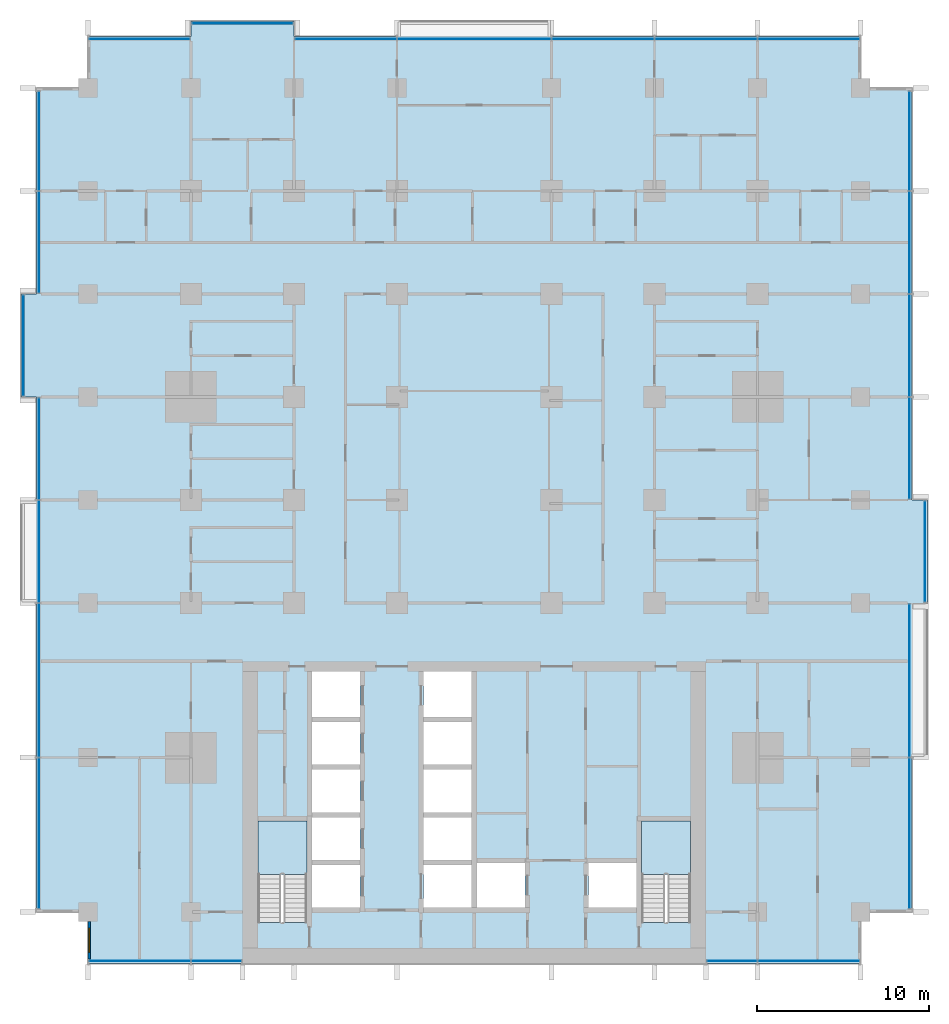
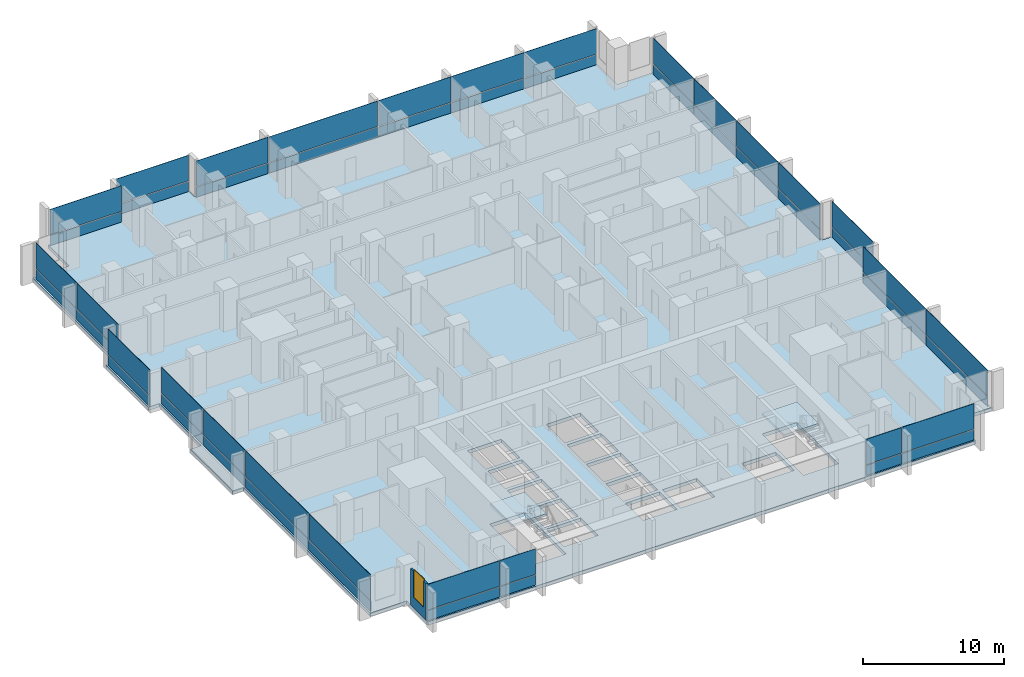
# One storey, part 6 of 18: 50 plates, 3 slabs, 1 wall, 1 window, 1 opening, 13 elements without a shape of their own.
"""IFC4 building model written with IfcOpenShell, lengths in metres."""

from ifc_helpers import new_model, si_unit, direction, frame, frame_2d, origin, origin_2d, place, context, subcontext, project, spatial, polyline, rectangle, outline, extrude, material, layer, layer_set, type_object, element, fill, aggregate, save


model = new_model("IFC4")

# Units and contexts
model_context = context("Model", 3, precision=1e-05, world=origin(), true_north=direction((0.0, 1.0)))
body_context = subcontext(model_context, "Body", "Model", "MODEL_VIEW")
ifc_project = project(units=[si_unit("LENGTHUNIT", "METRE"), si_unit("AREAUNIT", "SQUARE_METRE"), si_unit("VOLUMEUNIT", "CUBIC_METRE"), si_unit("PLANEANGLEUNIT", "RADIAN"), si_unit("MASSUNIT", "GRAM", prefix="KILO")], contexts=[model_context])

# Site, building, storey
site_placement = place(None, origin())
site = spatial("IfcSite", under=ifc_project, at=site_placement, CompositionType="ELEMENT")
building_placement = place(site_placement, origin())
building = spatial("IfcBuilding", under=site, at=building_placement, Name="Finial Court Residences", CompositionType="ELEMENT")
storey_placement = place(building_placement, frame((0.0, 0.0, 72.10009765625)))
storey = spatial("IfcBuildingStorey", under=building, at=storey_placement, Name="L17", CompositionType="ELEMENT", Elevation=72.10009765625)

# Curtain wall, plate
ifc_material_1 = material(Name="Bronze anodised aluminium", Category="aluminium")
curtain_wall_type = type_object("IfcCurtainWallType", Name="Unitised curtain wall, lower and middle zones", PredefinedType="NOTDEFINED", material=ifc_material_1)
curtain_wall_1_placement = place(storey_placement, origin())
curtain_wall_1 = element("IfcCurtainWall", 1, at=curtain_wall_1_placement, inside=storey, type_object=curtain_wall_type, Name="E-L17-CW-N1", PredefinedType="NOTDEFINED")
ifc_layer_1 = layer(ifc_material_1, 0.0400390625)
ifc_layer_set_1 = layer_set([ifc_layer_1], Name="CW1 spandrel panel 40")
plate_type_1 = type_object("IfcPlateType", Name="CW1 spandrel panel 40", PredefinedType="CURTAIN_PANEL", material=ifc_layer_set_1)
plate_1_placement = place(storey_placement, frame((-19.5, 28.35009765625, 0.0), z_axis=(0.0, 0.0, 1.0), x_axis=(1.0, 0.0, 0.0)))
plate_1 = element("IfcPlate", 2, at=plate_1_placement, type_object=plate_type_1, Name="CW1 spandrel 1.1", PredefinedType="CURTAIN_PANEL", context=body_context, shape_type="SweptSolid", body=[
    extrude(rectangle(XDim=5.8701171875, YDim=0.0400390625, at=origin_2d()), origin(), (0.0, 0.0, 1.0), 0.867431640625),
])

curtain_wall_2_placement = place(storey_placement, origin())
curtain_wall_2 = element("IfcCurtainWall", 3, at=curtain_wall_2_placement, inside=storey, type_object=curtain_wall_type, Name="E-L17-CW-N2", PredefinedType="NOTDEFINED")
plate_2_placement = place(storey_placement, frame((-13.5, 29.25, 0.0), z_axis=(0.0, 0.0, 1.0), x_axis=(1.0, 0.0, 0.0)))
plate_2 = element("IfcPlate", 4, at=plate_2_placement, type_object=plate_type_1, Name="CW1 spandrel 1.1", PredefinedType="CURTAIN_PANEL", context=body_context, shape_type="SweptSolid", body=[
    extrude(rectangle(XDim=5.8701171875, YDim=0.0400390625, at=origin_2d()), origin(), (0.0, 0.0, 1.0), 0.867431640625),
])

# Curtain wall, plates
curtain_wall_3_placement = place(storey_placement, origin())
curtain_wall_3 = element("IfcCurtainWall", 5, at=curtain_wall_3_placement, inside=storey, type_object=curtain_wall_type, Name="E-L17-CW-N3", PredefinedType="NOTDEFINED")
plate_3_placement = place(storey_placement, frame((-7.483642578125, 28.35009765625, 0.0), z_axis=(0.0, 0.0, 1.0), x_axis=(1.0, 0.0, 0.0)))
plate_3 = element("IfcPlate", 6, at=plate_3_placement, type_object=plate_type_1, Name="CW1 spandrel 1.1", PredefinedType="CURTAIN_PANEL", context=body_context, shape_type="SweptSolid", body=[
    extrude(rectangle(XDim=5.902587890625, YDim=0.0400390625, at=origin_2d()), origin(), (0.0, 0.0, 1.0), 0.867431640625),
])
plate_4_placement = place(storey_placement, frame((0.0, 28.35009765625, 0.0), z_axis=(0.0, 0.0, 1.0), x_axis=(1.0, 0.0, 0.0)))
plate_4 = element("IfcPlate", 7, at=plate_4_placement, type_object=plate_type_1, Name="CW1 spandrel 2.1", PredefinedType="CURTAIN_PANEL", context=body_context, shape_type="SweptSolid", body=[
    extrude(rectangle(XDim=8.93505859375, YDim=0.0400390625, at=origin_2d()), origin(), (0.0, 0.0, 1.0), 0.867431640625),
])
plate_5_placement = place(storey_placement, frame((7.5, 28.35009765625, 0.0), z_axis=(0.0, 0.0, 1.0), x_axis=(1.0, 0.0, 0.0)))
plate_5 = element("IfcPlate", 8, at=plate_5_placement, type_object=plate_type_1, Name="CW1 spandrel 3.1", PredefinedType="CURTAIN_PANEL", context=body_context, shape_type="SweptSolid", body=[
    extrude(rectangle(XDim=5.93505859375, YDim=0.0400390625, at=origin_2d()), origin(), (0.0, 0.0, 1.0), 0.867431640625),
])
plate_6_placement = place(storey_placement, frame((13.5, 28.35009765625, 0.0), z_axis=(0.0, 0.0, 1.0), x_axis=(1.0, 0.0, 0.0)))
plate_6 = element("IfcPlate", 9, at=plate_6_placement, type_object=plate_type_1, Name="CW1 spandrel 4.1", PredefinedType="CURTAIN_PANEL", context=body_context, shape_type="SweptSolid", body=[
    extrude(rectangle(XDim=5.93505859375, YDim=0.0400390625, at=origin_2d()), origin(), (0.0, 0.0, 1.0), 0.867431640625),
])
plate_7_placement = place(storey_placement, frame((19.48388671875, 28.35009765625, 0.0), z_axis=(0.0, 0.0, 1.0), x_axis=(1.0, 0.0, 0.0)))
plate_7 = element("IfcPlate", 10, at=plate_7_placement, type_object=plate_type_1, Name="CW1 spandrel 5.1", PredefinedType="CURTAIN_PANEL", context=body_context, shape_type="SweptSolid", body=[
    extrude(rectangle(XDim=5.902587890625, YDim=0.0400390625, at=origin_2d()), origin(), (0.0, 0.0, 1.0), 0.867431640625),
])

curtain_wall_4_placement = place(storey_placement, origin())
curtain_wall_4 = element("IfcCurtainWall", 11, at=curtain_wall_4_placement, inside=storey, type_object=curtain_wall_type, Name="E-L17-CW-E4", PredefinedType="NOTDEFINED")
plate_8_placement = place(storey_placement, frame((25.35009765625, -17.90869140625, 0.0), z_axis=(0.0, 0.0, 1.0), x_axis=(0.0, 1.0, 0.0)))
plate_8 = element("IfcPlate", 12, at=plate_8_placement, type_object=plate_type_1, Name="CW1 spandrel 1.1", PredefinedType="CURTAIN_PANEL", context=body_context, shape_type="SweptSolid", body=[
    extrude(rectangle(XDim=8.75244140625, YDim=0.0400390625, at=origin_2d()), origin(), (0.0, 0.0, 1.0), 0.867431640625),
])
plate_9_placement = place(storey_placement, frame((25.35009765625, -9.01611328125, 0.0), z_axis=(0.0, 0.0, 1.0), x_axis=(0.0, 1.0, 0.0)))
plate_9 = element("IfcPlate", 13, at=plate_9_placement, type_object=plate_type_1, Name="CW1 spandrel 2.1", PredefinedType="CURTAIN_PANEL", context=body_context, shape_type="SweptSolid", body=[
    extrude(rectangle(XDim=8.902587890625, YDim=0.0400390625, at=origin_2d()), origin(), (0.0, 0.0, 1.0), 0.867431640625),
])

# Curtain wall, plate
curtain_wall_5_placement = place(storey_placement, origin())
curtain_wall_5 = element("IfcCurtainWall", 14, at=curtain_wall_5_placement, inside=storey, type_object=curtain_wall_type, Name="E-L17-CW-E5", PredefinedType="NOTDEFINED")
plate_10_placement = place(storey_placement, frame((26.25, -1.5, 0.0), z_axis=(0.0, 0.0, 1.0), x_axis=(0.0, 1.0, 0.0)))
plate_10 = element("IfcPlate", 15, at=plate_10_placement, type_object=plate_type_1, Name="CW1 spandrel 1.1", PredefinedType="CURTAIN_PANEL", context=body_context, shape_type="SweptSolid", body=[
    extrude(rectangle(XDim=5.8701171875, YDim=0.0400390625, at=origin_2d()), origin(), (0.0, 0.0, 1.0), 0.867431640625),
])

# Curtain wall, plates
curtain_wall_6_placement = place(storey_placement, origin())
curtain_wall_6 = element("IfcCurtainWall", 16, at=curtain_wall_6_placement, inside=storey, type_object=curtain_wall_type, Name="E-L17-CW-E6", PredefinedType="NOTDEFINED")
plate_11_placement = place(storey_placement, frame((25.35009765625, 4.516357421875, 0.0), z_axis=(0.0, 0.0, 1.0), x_axis=(0.0, 1.0, 0.0)))
plate_11 = element("IfcPlate", 17, at=plate_11_placement, type_object=plate_type_1, Name="CW1 spandrel 1.1", PredefinedType="CURTAIN_PANEL", context=body_context, shape_type="SweptSolid", body=[
    extrude(rectangle(XDim=5.902587890625, YDim=0.0400390625, at=origin_2d()), origin(), (0.0, 0.0, 1.0), 0.867431640625),
])
plate_12_placement = place(storey_placement, frame((25.35009765625, 10.5, 0.0), z_axis=(0.0, 0.0, 1.0), x_axis=(0.0, 1.0, 0.0)))
plate_12 = element("IfcPlate", 18, at=plate_12_placement, type_object=plate_type_1, Name="CW1 spandrel 2.1", PredefinedType="CURTAIN_PANEL", context=body_context, shape_type="SweptSolid", body=[
    extrude(rectangle(XDim=5.93505859375, YDim=0.0400390625, at=origin_2d()), origin(), (0.0, 0.0, 1.0), 0.867431640625),
])
plate_13_placement = place(storey_placement, frame((25.35009765625, 16.5, 0.0), z_axis=(0.0, 0.0, 1.0), x_axis=(0.0, 1.0, 0.0)))
plate_13 = element("IfcPlate", 19, at=plate_13_placement, type_object=plate_type_1, Name="CW1 spandrel 3.1", PredefinedType="CURTAIN_PANEL", context=body_context, shape_type="SweptSolid", body=[
    extrude(rectangle(XDim=5.93505859375, YDim=0.0400390625, at=origin_2d()), origin(), (0.0, 0.0, 1.0), 0.867431640625),
])
plate_14_placement = place(storey_placement, frame((25.35009765625, 22.40869140625, 0.0), z_axis=(0.0, 0.0, 1.0), x_axis=(0.0, 1.0, 0.0)))
plate_14 = element("IfcPlate", 20, at=plate_14_placement, type_object=plate_type_1, Name="CW1 spandrel 4.1", PredefinedType="CURTAIN_PANEL", context=body_context, shape_type="SweptSolid", body=[
    extrude(rectangle(XDim=5.75244140625, YDim=0.0400390625, at=origin_2d()), origin(), (0.0, 0.0, 1.0), 0.867431640625),
])

curtain_wall_7_placement = place(storey_placement, origin())
curtain_wall_7 = element("IfcCurtainWall", 21, at=curtain_wall_7_placement, inside=storey, type_object=curtain_wall_type, Name="E-L17-CW-S7", PredefinedType="NOTDEFINED")
plate_15_placement = place(storey_placement, frame((-19.48388671875, -25.35009765625, 0.0), z_axis=(0.0, 0.0, 1.0), x_axis=(1.0, 0.0, 0.0)))
plate_15 = element("IfcPlate", 22, at=plate_15_placement, type_object=plate_type_1, Name="CW1 spandrel 1.1", PredefinedType="CURTAIN_PANEL", context=body_context, shape_type="SweptSolid", body=[
    extrude(rectangle(XDim=5.902587890625, YDim=0.0400390625, at=origin_2d()), origin(), (0.0, 0.0, 1.0), 0.867431640625),
])
plate_16_placement = place(storey_placement, frame((-15.016357421875, -25.35009765625, 0.0), z_axis=(0.0, 0.0, 1.0), x_axis=(1.0, 0.0, 0.0)))
plate_16 = element("IfcPlate", 23, at=plate_16_placement, type_object=plate_type_1, Name="CW1 spandrel 2.1", PredefinedType="CURTAIN_PANEL", context=body_context, shape_type="SweptSolid", body=[
    extrude(rectangle(XDim=2.902587890625, YDim=0.0400390625, at=origin_2d()), origin(), (0.0, 0.0, 1.0), 0.867431640625),
])

curtain_wall_8_placement = place(storey_placement, origin())
curtain_wall_8 = element("IfcCurtainWall", 24, at=curtain_wall_8_placement, inside=storey, type_object=curtain_wall_type, Name="E-L17-CW-S8", PredefinedType="NOTDEFINED")
plate_17_placement = place(storey_placement, frame((15.016357421875, -25.35009765625, 0.0), z_axis=(0.0, 0.0, 1.0), x_axis=(1.0, 0.0, 0.0)))
plate_17 = element("IfcPlate", 25, at=plate_17_placement, type_object=plate_type_1, Name="CW1 spandrel 1.1", PredefinedType="CURTAIN_PANEL", context=body_context, shape_type="SweptSolid", body=[
    extrude(rectangle(XDim=2.902587890625, YDim=0.0400390625, at=origin_2d()), origin(), (0.0, 0.0, 1.0), 0.867431640625),
])
plate_18_placement = place(storey_placement, frame((19.48388671875, -25.35009765625, 0.0), z_axis=(0.0, 0.0, 1.0), x_axis=(1.0, 0.0, 0.0)))
plate_18 = element("IfcPlate", 26, at=plate_18_placement, type_object=plate_type_1, Name="CW1 spandrel 2.1", PredefinedType="CURTAIN_PANEL", context=body_context, shape_type="SweptSolid", body=[
    extrude(rectangle(XDim=5.902587890625, YDim=0.0400390625, at=origin_2d()), origin(), (0.0, 0.0, 1.0), 0.867431640625),
])

curtain_wall_9_placement = place(storey_placement, origin())
curtain_wall_9 = element("IfcCurtainWall", 27, at=curtain_wall_9_placement, inside=storey, type_object=curtain_wall_type, Name="E-L17-CW-W9", PredefinedType="NOTDEFINED")
plate_19_placement = place(storey_placement, frame((-25.35009765625, -17.90869140625, 0.0), z_axis=(0.0, 0.0, 1.0), x_axis=(0.0, 1.0, 0.0)))
plate_19 = element("IfcPlate", 28, at=plate_19_placement, type_object=plate_type_1, Name="CW1 spandrel 1.1", PredefinedType="CURTAIN_PANEL", context=body_context, shape_type="SweptSolid", body=[
    extrude(rectangle(XDim=8.75244140625, YDim=0.0400390625, at=origin_2d()), origin(), (0.0, 0.0, 1.0), 0.867431640625),
])
plate_20_placement = place(storey_placement, frame((-25.35009765625, -9.0, 0.0), z_axis=(0.0, 0.0, 1.0), x_axis=(0.0, 1.0, 0.0)))
plate_20 = element("IfcPlate", 29, at=plate_20_placement, type_object=plate_type_1, Name="CW1 spandrel 2.1", PredefinedType="CURTAIN_PANEL", context=body_context, shape_type="SweptSolid", body=[
    extrude(rectangle(XDim=8.93505859375, YDim=0.0400390625, at=origin_2d()), origin(), (0.0, 0.0, 1.0), 0.867431640625),
])
plate_21_placement = place(storey_placement, frame((-25.35009765625, -1.5, 0.0), z_axis=(0.0, 0.0, 1.0), x_axis=(0.0, 1.0, 0.0)))
plate_21 = element("IfcPlate", 30, at=plate_21_placement, type_object=plate_type_1, Name="CW1 spandrel 3.1", PredefinedType="CURTAIN_PANEL", context=body_context, shape_type="SweptSolid", body=[
    extrude(rectangle(XDim=5.93505859375, YDim=0.0400390625, at=origin_2d()), origin(), (0.0, 0.0, 1.0), 0.867431640625),
])
plate_22_placement = place(storey_placement, frame((-25.35009765625, 4.48388671875, 0.0), z_axis=(0.0, 0.0, 1.0), x_axis=(0.0, 1.0, 0.0)))
plate_22 = element("IfcPlate", 31, at=plate_22_placement, type_object=plate_type_1, Name="CW1 spandrel 4.1", PredefinedType="CURTAIN_PANEL", context=body_context, shape_type="SweptSolid", body=[
    extrude(rectangle(XDim=5.902587890625, YDim=0.0400390625, at=origin_2d()), origin(), (0.0, 0.0, 1.0), 0.867431640625),
])

# Curtain wall, plate
curtain_wall_10_placement = place(storey_placement, origin())
curtain_wall_10 = element("IfcCurtainWall", 32, at=curtain_wall_10_placement, inside=storey, type_object=curtain_wall_type, Name="E-L17-CW-W10", PredefinedType="NOTDEFINED")
plate_23_placement = place(storey_placement, frame((-26.25, 10.5, 0.0), z_axis=(0.0, 0.0, 1.0), x_axis=(0.0, 1.0, 0.0)))
plate_23 = element("IfcPlate", 33, at=plate_23_placement, type_object=plate_type_1, Name="CW1 spandrel 1.1", PredefinedType="CURTAIN_PANEL", context=body_context, shape_type="SweptSolid", body=[
    extrude(rectangle(XDim=5.8701171875, YDim=0.0400390625, at=origin_2d()), origin(), (0.0, 0.0, 1.0), 0.867431640625),
])

# Curtain wall, plates
curtain_wall_11_placement = place(storey_placement, origin())
curtain_wall_11 = element("IfcCurtainWall", 34, at=curtain_wall_11_placement, inside=storey, type_object=curtain_wall_type, Name="E-L17-CW-W11", PredefinedType="NOTDEFINED")
plate_24_placement = place(storey_placement, frame((-25.35009765625, 16.51611328125, 0.0), z_axis=(0.0, 0.0, 1.0), x_axis=(0.0, 1.0, 0.0)))
plate_24 = element("IfcPlate", 35, at=plate_24_placement, type_object=plate_type_1, Name="CW1 spandrel 1.1", PredefinedType="CURTAIN_PANEL", context=body_context, shape_type="SweptSolid", body=[
    extrude(rectangle(XDim=5.902587890625, YDim=0.0400390625, at=origin_2d()), origin(), (0.0, 0.0, 1.0), 0.867431640625),
])
plate_25_placement = place(storey_placement, frame((-25.35009765625, 22.40869140625, 0.0), z_axis=(0.0, 0.0, 1.0), x_axis=(0.0, 1.0, 0.0)))
plate_25 = element("IfcPlate", 36, at=plate_25_placement, type_object=plate_type_1, Name="CW1 spandrel 2.1", PredefinedType="CURTAIN_PANEL", context=body_context, shape_type="SweptSolid", body=[
    extrude(rectangle(XDim=5.75244140625, YDim=0.0400390625, at=origin_2d()), origin(), (0.0, 0.0, 1.0), 0.867431640625),
])

# Plate
ifc_material_2 = material(Name="Clear low-e glass", Category="glass")
ifc_layer_2 = layer(ifc_material_2, 0.031982421875)
ifc_layer_set_2 = layer_set([ifc_layer_2], Name="CW1 vision glass 32")
plate_type_2 = type_object("IfcPlateType", Name="CW1 vision glass 32", PredefinedType="CURTAIN_PANEL", material=ifc_layer_set_2)
plate_26_placement = place(storey_placement, frame((-19.5, 28.35009765625, 0.93212890625), z_axis=(0.0, 0.0, 1.0), x_axis=(1.0, 0.0, 0.0)))
plate_26 = element("IfcPlate", 37, at=plate_26_placement, type_object=plate_type_2, Name="CW1 glass 1.2", PredefinedType="CURTAIN_PANEL", context=body_context, shape_type="SweptSolid", body=[
    extrude(rectangle(XDim=5.8701171875, YDim=0.031982421875, at=origin_2d()), origin(), (0.0, 0.0, 1.0), 2.217529296875),
])

aggregate(curtain_wall_1, [plate_1, plate_26])

plate_27_placement = place(storey_placement, frame((-13.5, 29.25, 0.93212890625), z_axis=(0.0, 0.0, 1.0), x_axis=(1.0, 0.0, 0.0)))
plate_27 = element("IfcPlate", 38, at=plate_27_placement, type_object=plate_type_2, Name="CW1 glass 1.2", PredefinedType="CURTAIN_PANEL", context=body_context, shape_type="SweptSolid", body=[
    extrude(rectangle(XDim=5.8701171875, YDim=0.031982421875, at=origin_2d()), origin(), (0.0, 0.0, 1.0), 2.217529296875),
])

aggregate(curtain_wall_2, [plate_2, plate_27])

plate_28_placement = place(storey_placement, frame((-7.483642578125, 28.35009765625, 0.93212890625), z_axis=(0.0, 0.0, 1.0), x_axis=(1.0, 0.0, 0.0)))
plate_28 = element("IfcPlate", 39, at=plate_28_placement, type_object=plate_type_2, Name="CW1 glass 1.2", PredefinedType="CURTAIN_PANEL", context=body_context, shape_type="SweptSolid", body=[
    extrude(rectangle(XDim=5.902587890625, YDim=0.031982421875, at=origin_2d()), origin(), (0.0, 0.0, 1.0), 2.217529296875),
])

plate_29_placement = place(storey_placement, frame((0.0, 28.35009765625, 0.93212890625), z_axis=(0.0, 0.0, 1.0), x_axis=(1.0, 0.0, 0.0)))
plate_29 = element("IfcPlate", 40, at=plate_29_placement, type_object=plate_type_2, Name="CW1 glass 2.2", PredefinedType="CURTAIN_PANEL", context=body_context, shape_type="SweptSolid", body=[
    extrude(rectangle(XDim=8.93505859375, YDim=0.031982421875, at=origin_2d()), origin(), (0.0, 0.0, 1.0), 2.217529296875),
])

plate_30_placement = place(storey_placement, frame((7.5, 28.35009765625, 0.93212890625), z_axis=(0.0, 0.0, 1.0), x_axis=(1.0, 0.0, 0.0)))
plate_30 = element("IfcPlate", 41, at=plate_30_placement, type_object=plate_type_2, Name="CW1 glass 3.2", PredefinedType="CURTAIN_PANEL", context=body_context, shape_type="SweptSolid", body=[
    extrude(rectangle(XDim=5.93505859375, YDim=0.031982421875, at=origin_2d()), origin(), (0.0, 0.0, 1.0), 2.217529296875),
])

plate_31_placement = place(storey_placement, frame((13.5, 28.35009765625, 0.93212890625), z_axis=(0.0, 0.0, 1.0), x_axis=(1.0, 0.0, 0.0)))
plate_31 = element("IfcPlate", 42, at=plate_31_placement, type_object=plate_type_2, Name="CW1 glass 4.2", PredefinedType="CURTAIN_PANEL", context=body_context, shape_type="SweptSolid", body=[
    extrude(rectangle(XDim=5.93505859375, YDim=0.031982421875, at=origin_2d()), origin(), (0.0, 0.0, 1.0), 2.217529296875),
])

plate_32_placement = place(storey_placement, frame((19.48388671875, 28.35009765625, 0.93212890625), z_axis=(0.0, 0.0, 1.0), x_axis=(1.0, 0.0, 0.0)))
plate_32 = element("IfcPlate", 43, at=plate_32_placement, type_object=plate_type_2, Name="CW1 glass 5.2", PredefinedType="CURTAIN_PANEL", context=body_context, shape_type="SweptSolid", body=[
    extrude(rectangle(XDim=5.902587890625, YDim=0.031982421875, at=origin_2d()), origin(), (0.0, 0.0, 1.0), 2.217529296875),
])

aggregate(curtain_wall_3, [plate_3, plate_28, plate_4, plate_29, plate_5, plate_30, plate_6, plate_31, plate_7, plate_32])

plate_33_placement = place(storey_placement, frame((25.35009765625, -17.90869140625, 0.93212890625), z_axis=(0.0, 0.0, 1.0), x_axis=(0.0, 1.0, 0.0)))
plate_33 = element("IfcPlate", 44, at=plate_33_placement, type_object=plate_type_2, Name="CW1 glass 1.2", PredefinedType="CURTAIN_PANEL", context=body_context, shape_type="SweptSolid", body=[
    extrude(rectangle(XDim=8.75244140625, YDim=0.031982421875, at=origin_2d()), origin(), (0.0, 0.0, 1.0), 2.217529296875),
])

plate_34_placement = place(storey_placement, frame((25.35009765625, -9.01611328125, 0.93212890625), z_axis=(0.0, 0.0, 1.0), x_axis=(0.0, 1.0, 0.0)))
plate_34 = element("IfcPlate", 45, at=plate_34_placement, type_object=plate_type_2, Name="CW1 glass 2.2", PredefinedType="CURTAIN_PANEL", context=body_context, shape_type="SweptSolid", body=[
    extrude(rectangle(XDim=8.902587890625, YDim=0.031982421875, at=origin_2d()), origin(), (0.0, 0.0, 1.0), 2.217529296875),
])

aggregate(curtain_wall_4, [plate_8, plate_33, plate_9, plate_34])

plate_35_placement = place(storey_placement, frame((26.25, -1.5, 0.93212890625), z_axis=(0.0, 0.0, 1.0), x_axis=(0.0, 1.0, 0.0)))
plate_35 = element("IfcPlate", 46, at=plate_35_placement, type_object=plate_type_2, Name="CW1 glass 1.2", PredefinedType="CURTAIN_PANEL", context=body_context, shape_type="SweptSolid", body=[
    extrude(rectangle(XDim=5.8701171875, YDim=0.031982421875, at=origin_2d()), origin(), (0.0, 0.0, 1.0), 2.217529296875),
])

aggregate(curtain_wall_5, [plate_10, plate_35])

plate_36_placement = place(storey_placement, frame((25.35009765625, 4.516357421875, 0.93212890625), z_axis=(0.0, 0.0, 1.0), x_axis=(0.0, 1.0, 0.0)))
plate_36 = element("IfcPlate", 47, at=plate_36_placement, type_object=plate_type_2, Name="CW1 glass 1.2", PredefinedType="CURTAIN_PANEL", context=body_context, shape_type="SweptSolid", body=[
    extrude(rectangle(XDim=5.902587890625, YDim=0.031982421875, at=origin_2d()), origin(), (0.0, 0.0, 1.0), 2.217529296875),
])

plate_37_placement = place(storey_placement, frame((25.35009765625, 10.5, 0.93212890625), z_axis=(0.0, 0.0, 1.0), x_axis=(0.0, 1.0, 0.0)))
plate_37 = element("IfcPlate", 48, at=plate_37_placement, type_object=plate_type_2, Name="CW1 glass 2.2", PredefinedType="CURTAIN_PANEL", context=body_context, shape_type="SweptSolid", body=[
    extrude(rectangle(XDim=5.93505859375, YDim=0.031982421875, at=origin_2d()), origin(), (0.0, 0.0, 1.0), 2.217529296875),
])

plate_38_placement = place(storey_placement, frame((25.35009765625, 16.5, 0.93212890625), z_axis=(0.0, 0.0, 1.0), x_axis=(0.0, 1.0, 0.0)))
plate_38 = element("IfcPlate", 49, at=plate_38_placement, type_object=plate_type_2, Name="CW1 glass 3.2", PredefinedType="CURTAIN_PANEL", context=body_context, shape_type="SweptSolid", body=[
    extrude(rectangle(XDim=5.93505859375, YDim=0.031982421875, at=origin_2d()), origin(), (0.0, 0.0, 1.0), 2.217529296875),
])

plate_39_placement = place(storey_placement, frame((25.35009765625, 22.40869140625, 0.93212890625), z_axis=(0.0, 0.0, 1.0), x_axis=(0.0, 1.0, 0.0)))
plate_39 = element("IfcPlate", 50, at=plate_39_placement, type_object=plate_type_2, Name="CW1 glass 4.2", PredefinedType="CURTAIN_PANEL", context=body_context, shape_type="SweptSolid", body=[
    extrude(rectangle(XDim=5.75244140625, YDim=0.031982421875, at=origin_2d()), origin(), (0.0, 0.0, 1.0), 2.217529296875),
])

aggregate(curtain_wall_6, [plate_11, plate_36, plate_12, plate_37, plate_13, plate_38, plate_14, plate_39])

plate_40_placement = place(storey_placement, frame((-19.48388671875, -25.35009765625, 0.93212890625), z_axis=(0.0, 0.0, 1.0), x_axis=(1.0, 0.0, 0.0)))
plate_40 = element("IfcPlate", 51, at=plate_40_placement, type_object=plate_type_2, Name="CW1 glass 1.2", PredefinedType="CURTAIN_PANEL", context=body_context, shape_type="SweptSolid", body=[
    extrude(rectangle(XDim=5.902587890625, YDim=0.031982421875, at=origin_2d()), origin(), (0.0, 0.0, 1.0), 2.217529296875),
])

plate_41_placement = place(storey_placement, frame((-15.016357421875, -25.35009765625, 0.93212890625), z_axis=(0.0, 0.0, 1.0), x_axis=(1.0, 0.0, 0.0)))
plate_41 = element("IfcPlate", 52, at=plate_41_placement, type_object=plate_type_2, Name="CW1 glass 2.2", PredefinedType="CURTAIN_PANEL", context=body_context, shape_type="SweptSolid", body=[
    extrude(rectangle(XDim=2.902587890625, YDim=0.031982421875, at=origin_2d()), origin(), (0.0, 0.0, 1.0), 2.217529296875),
])

aggregate(curtain_wall_7, [plate_15, plate_40, plate_16, plate_41])

plate_42_placement = place(storey_placement, frame((15.016357421875, -25.35009765625, 0.93212890625), z_axis=(0.0, 0.0, 1.0), x_axis=(1.0, 0.0, 0.0)))
plate_42 = element("IfcPlate", 53, at=plate_42_placement, type_object=plate_type_2, Name="CW1 glass 1.2", PredefinedType="CURTAIN_PANEL", context=body_context, shape_type="SweptSolid", body=[
    extrude(rectangle(XDim=2.902587890625, YDim=0.031982421875, at=origin_2d()), origin(), (0.0, 0.0, 1.0), 2.217529296875),
])

plate_43_placement = place(storey_placement, frame((19.48388671875, -25.35009765625, 0.93212890625), z_axis=(0.0, 0.0, 1.0), x_axis=(1.0, 0.0, 0.0)))
plate_43 = element("IfcPlate", 54, at=plate_43_placement, type_object=plate_type_2, Name="CW1 glass 2.2", PredefinedType="CURTAIN_PANEL", context=body_context, shape_type="SweptSolid", body=[
    extrude(rectangle(XDim=5.902587890625, YDim=0.031982421875, at=origin_2d()), origin(), (0.0, 0.0, 1.0), 2.217529296875),
])

aggregate(curtain_wall_8, [plate_17, plate_42, plate_18, plate_43])

plate_44_placement = place(storey_placement, frame((-25.35009765625, -17.90869140625, 0.93212890625), z_axis=(0.0, 0.0, 1.0), x_axis=(0.0, 1.0, 0.0)))
plate_44 = element("IfcPlate", 55, at=plate_44_placement, type_object=plate_type_2, Name="CW1 glass 1.2", PredefinedType="CURTAIN_PANEL", context=body_context, shape_type="SweptSolid", body=[
    extrude(rectangle(XDim=8.75244140625, YDim=0.031982421875, at=origin_2d()), origin(), (0.0, 0.0, 1.0), 2.217529296875),
])

plate_45_placement = place(storey_placement, frame((-25.35009765625, -9.0, 0.93212890625), z_axis=(0.0, 0.0, 1.0), x_axis=(0.0, 1.0, 0.0)))
plate_45 = element("IfcPlate", 56, at=plate_45_placement, type_object=plate_type_2, Name="CW1 glass 2.2", PredefinedType="CURTAIN_PANEL", context=body_context, shape_type="SweptSolid", body=[
    extrude(rectangle(XDim=8.93505859375, YDim=0.031982421875, at=origin_2d()), origin(), (0.0, 0.0, 1.0), 2.217529296875),
])

plate_46_placement = place(storey_placement, frame((-25.35009765625, -1.5, 0.93212890625), z_axis=(0.0, 0.0, 1.0), x_axis=(0.0, 1.0, 0.0)))
plate_46 = element("IfcPlate", 57, at=plate_46_placement, type_object=plate_type_2, Name="CW1 glass 3.2", PredefinedType="CURTAIN_PANEL", context=body_context, shape_type="SweptSolid", body=[
    extrude(rectangle(XDim=5.93505859375, YDim=0.031982421875, at=origin_2d()), origin(), (0.0, 0.0, 1.0), 2.217529296875),
])

plate_47_placement = place(storey_placement, frame((-25.35009765625, 4.48388671875, 0.93212890625), z_axis=(0.0, 0.0, 1.0), x_axis=(0.0, 1.0, 0.0)))
plate_47 = element("IfcPlate", 58, at=plate_47_placement, type_object=plate_type_2, Name="CW1 glass 4.2", PredefinedType="CURTAIN_PANEL", context=body_context, shape_type="SweptSolid", body=[
    extrude(rectangle(XDim=5.902587890625, YDim=0.031982421875, at=origin_2d()), origin(), (0.0, 0.0, 1.0), 2.217529296875),
])

aggregate(curtain_wall_9, [plate_19, plate_44, plate_20, plate_45, plate_21, plate_46, plate_22, plate_47])

plate_48_placement = place(storey_placement, frame((-26.25, 10.5, 0.93212890625), z_axis=(0.0, 0.0, 1.0), x_axis=(0.0, 1.0, 0.0)))
plate_48 = element("IfcPlate", 59, at=plate_48_placement, type_object=plate_type_2, Name="CW1 glass 1.2", PredefinedType="CURTAIN_PANEL", context=body_context, shape_type="SweptSolid", body=[
    extrude(rectangle(XDim=5.8701171875, YDim=0.031982421875, at=origin_2d()), origin(), (0.0, 0.0, 1.0), 2.217529296875),
])

aggregate(curtain_wall_10, [plate_23, plate_48])

plate_49_placement = place(storey_placement, frame((-25.35009765625, 16.51611328125, 0.93212890625), z_axis=(0.0, 0.0, 1.0), x_axis=(0.0, 1.0, 0.0)))
plate_49 = element("IfcPlate", 60, at=plate_49_placement, type_object=plate_type_2, Name="CW1 glass 1.2", PredefinedType="CURTAIN_PANEL", context=body_context, shape_type="SweptSolid", body=[
    extrude(rectangle(XDim=5.902587890625, YDim=0.031982421875, at=origin_2d()), origin(), (0.0, 0.0, 1.0), 2.217529296875),
])

plate_50_placement = place(storey_placement, frame((-25.35009765625, 22.40869140625, 0.93212890625), z_axis=(0.0, 0.0, 1.0), x_axis=(0.0, 1.0, 0.0)))
plate_50 = element("IfcPlate", 61, at=plate_50_placement, type_object=plate_type_2, Name="CW1 glass 2.2", PredefinedType="CURTAIN_PANEL", context=body_context, shape_type="SweptSolid", body=[
    extrude(rectangle(XDim=5.75244140625, YDim=0.031982421875, at=origin_2d()), origin(), (0.0, 0.0, 1.0), 2.217529296875),
])

aggregate(curtain_wall_11, [plate_24, plate_49, plate_25, plate_50])

# Stair, slab
ifc_material_3 = material(Name="Concrete C50/60", Category="concrete")
stair_type = type_object("IfcStairType", Name="Exit stair 22 risers of 163.6 mm", PredefinedType="HALF_TURN_STAIR", material=ifc_material_3)
stair_1_placement = place(storey_placement, origin())
stair_1 = element("IfcStair", 62, at=stair_1_placement, inside=storey, type_object=stair_type, Name="L17 Exit stair ST-1", PredefinedType="HALF_TURN_STAIR")
ifc_layer_3 = layer(ifc_material_3, 0.199951171875)
ifc_layer_set_3 = layer_set([ifc_layer_3], Name="Exit stair landing")
slab_type_1 = type_object("IfcSlabType", Name="Exit stair landing", PredefinedType="LANDING", material=ifc_layer_set_3)
slab_1_placement = place(storey_placement, frame((0.0, 0.0, 1.599853515625)))
slab_1 = element("IfcSlab", 63, at=slab_1_placement, type_object=slab_type_1, Name="ST-1 landing 1", PredefinedType="LANDING", context=body_context, shape_type="SweptSolid", body=[
    extrude(outline(polyline([(-9.75, -20.300048828125), (-9.75, -17.199951171875), (-12.60009765625, -17.199951171875), (-12.60009765625, -20.300048828125), (-9.75, -20.300048828125)])), origin(), (0.0, 0.0, 1.0), 0.199951171875),
])
aggregate(stair_1, [slab_1])

stair_2_placement = place(storey_placement, origin())
stair_2 = element("IfcStair", 64, at=stair_2_placement, inside=storey, type_object=stair_type, Name="L17 Exit stair ST-2", PredefinedType="HALF_TURN_STAIR")
slab_2_placement = place(storey_placement, frame((0.0, 0.0, 1.599853515625)))
slab_2 = element("IfcSlab", 65, at=slab_2_placement, type_object=slab_type_1, Name="ST-2 landing 1", PredefinedType="LANDING", context=body_context, shape_type="SweptSolid", body=[
    extrude(outline(polyline([(12.60009765625, -20.300048828125), (12.60009765625, -17.199951171875), (9.75, -17.199951171875), (9.75, -20.300048828125), (12.60009765625, -20.300048828125)])), origin(), (0.0, 0.0, 1.0), 0.199951171875),
])
aggregate(stair_2, [slab_2])

# Slab
ifc_material_4 = material(Name="Concrete C40/50", Category="concrete")
ifc_layer_4 = layer(ifc_material_4, 0.300048828125)
ifc_layer_set_4 = layer_set([ifc_layer_4], Name="Flat plate slab 300 Concrete C40/50")
slab_type_2 = type_object("IfcSlabType", Name="Flat plate slab 300 Concrete C40/50", PredefinedType="FLOOR", material=ifc_layer_set_4)
slab_3_placement = place(storey_placement, frame((0.0, 0.0, -0.300048828125)))
element("IfcSlab", 66, at=slab_3_placement, inside=storey, type_object=slab_type_2, Name="S:SLAB:L17", PredefinedType="FLOOR", context=body_context, shape_type="SweptSolid", body=[
    extrude(outline(polyline([(25.5, -13.5), (25.5, -22.5), (22.5, -22.5), (22.5, -25.5), (-22.5, -25.5), (-22.5, -22.5), (-25.5, -22.5), (-25.5, -4.5), (-26.39990234375, -4.5), (-26.39990234375, 1.5), (-25.5, 1.5), (-25.5, 7.5), (-26.39990234375, 7.5), (-26.39990234375, 13.5), (-25.5, 13.5), (-25.5, 25.5), (-22.5, 25.5), (-22.5, 28.5), (-16.5, 28.5), (-16.5, 29.39990234375), (-10.5, 29.39990234375), (-10.5, 28.5), (-4.5, 28.5), (-4.5, 29.39990234375), (4.5, 29.39990234375), (4.5, 28.5), (22.5, 28.5), (22.5, 25.5), (25.5, 25.5), (25.5, 1.5), (26.39990234375, 1.5), (26.39990234375, -4.5), (26.39990234375, -13.5), (25.5, -13.5)]), holes=[polyline([(-6.64990234375, -19.77001953125), (-9.449951171875, -19.77001953125), (-9.449951171875, -22.25), (-6.64990234375, -22.25), (-6.64990234375, -19.77001953125)]), polyline([(-9.75, -17.199951171875), (-12.60009765625, -17.199951171875), (-12.60009765625, -23.09912109375), (-9.75, -23.09912109375), (-9.75, -17.199951171875)]), polyline([(-6.64990234375, -19.469970703125), (-6.64990234375, -16.989990234375), (-9.449951171875, -16.989990234375), (-9.449951171875, -19.469970703125), (-6.64990234375, -19.469970703125)]), polyline([(-6.64990234375, -16.68994140625), (-6.64990234375, -14.2099609375), (-9.449951171875, -14.2099609375), (-9.449951171875, -16.68994140625), (-6.64990234375, -16.68994140625)]), polyline([(-6.64990234375, -13.909912109375), (-6.64990234375, -11.429931640625), (-9.449951171875, -11.429931640625), (-9.449951171875, -13.909912109375), (-6.64990234375, -13.909912109375)]), polyline([(-6.64990234375, -11.1298828125), (-6.64990234375, -8.5), (-9.449951171875, -8.5), (-9.449951171875, -11.1298828125), (-6.64990234375, -11.1298828125)]), polyline([(-0.14990234375, -11.1298828125), (-0.14990234375, -8.5), (-2.949951171875, -8.5), (-2.949951171875, -11.1298828125), (-0.14990234375, -11.1298828125)]), polyline([(-0.14990234375, -19.77001953125), (-2.949951171875, -19.77001953125), (-2.949951171875, -22.25), (-0.14990234375, -22.25), (-0.14990234375, -19.77001953125)]), polyline([(2.949951171875, -22.25), (2.949951171875, -19.64990234375), (0.14990234375, -19.64990234375), (0.14990234375, -22.25), (2.949951171875, -22.25)]), polyline([(9.449951171875, -22.25), (9.449951171875, -19.64990234375), (6.64990234375, -19.64990234375), (6.64990234375, -22.25), (9.449951171875, -22.25)]), polyline([(12.60009765625, -17.199951171875), (9.75, -17.199951171875), (9.75, -23.09912109375), (12.60009765625, -23.09912109375), (12.60009765625, -17.199951171875)]), polyline([(-0.14990234375, -19.469970703125), (-0.14990234375, -16.989990234375), (-2.949951171875, -16.989990234375), (-2.949951171875, -19.469970703125), (-0.14990234375, -19.469970703125)]), polyline([(-0.14990234375, -16.68994140625), (-0.14990234375, -14.2099609375), (-2.949951171875, -14.2099609375), (-2.949951171875, -16.68994140625), (-0.14990234375, -16.68994140625)]), polyline([(-0.14990234375, -13.909912109375), (-0.14990234375, -11.429931640625), (-2.949951171875, -11.429931640625), (-2.949951171875, -13.909912109375), (-0.14990234375, -13.909912109375)])]), origin(), (0.0, 0.0, 1.0), 0.300048828125),
])

# Wall, opening, window
ifc_material_5 = material(Name="Natural limestone", Category="masonry")
ifc_layer_5 = layer(ifc_material_5, 0.14990234375)
ifc_layer_set_5 = layer_set([ifc_layer_5], Name="Limestone clad wall 150")
wall_type = type_object("IfcWallType", Name="Limestone clad wall 150", PredefinedType="SOLIDWALL", material=ifc_layer_set_5)
wall_placement = place(storey_placement, frame((-22.425048828125, -25.25, 0.0), z_axis=(0.0, 0.0, 1.0), x_axis=(0.0, 1.0, 0.0)))
wall = element("IfcWall", 67, at=wall_placement, inside=storey, type_object=wall_type, Name="E-L17-NWW12", PredefinedType="SOLIDWALL", context=body_context, shape_type="SweptSolid", body=[
    extrude(rectangle(XDim=2.199951171875, YDim=0.14990234375, at=frame_2d((1.10009765625, 0.0))), origin(), (0.0, 0.0, 1.0), 3.14990234375),
])
opening_placement = place(wall_placement, frame((0.39990234375, 0.0, 0.89990234375)))
opening = element("IfcOpeningElement", 68, at=opening_placement, cuts=wall, Name="Opening WE17-01", PredefinedType="OPENING", context=body_context, shape_type="SweptSolid", body=[
    extrude(rectangle(XDim=1.39990234375, YDim=2.39990234375, at=frame_2d((0.699951171875, 1.199951171875))), frame((0.0, 0.0849609375, 0.0), z_axis=(0.0, -1.0, 0.0), x_axis=(1.0, 0.0, 0.0)), (0.0, 0.0, 1.0), 0.169921875),
])
window_type = type_object("IfcWindowType", Name="Corner window 1400 x 2400", PartitioningType="SINGLE_PANEL", PredefinedType="WINDOW", material=ifc_material_2)
window_placement = place(opening_placement, origin())
window = element("IfcWindow", 69, at=window_placement, inside=storey, type_object=window_type, Name="E-L17-NWW12-W1", OverallHeight=2.39990234375, OverallWidth=1.39990234375, PartitioningType="SINGLE_PANEL", PredefinedType="WINDOW", context=body_context, shape_type="SweptSolid", body=[
    extrude(rectangle(XDim=1.39990234375, YDim=2.39990234375, at=frame_2d((0.699951171875, 1.199951171875))), frame((0.0, 0.030029296875, 0.0), z_axis=(0.0, -1.0, 0.0), x_axis=(1.0, 0.0, 0.0)), (0.0, 0.0, 1.0), 0.06005859375),
])
fill(opening, window)

save(model, "model.ifc")
